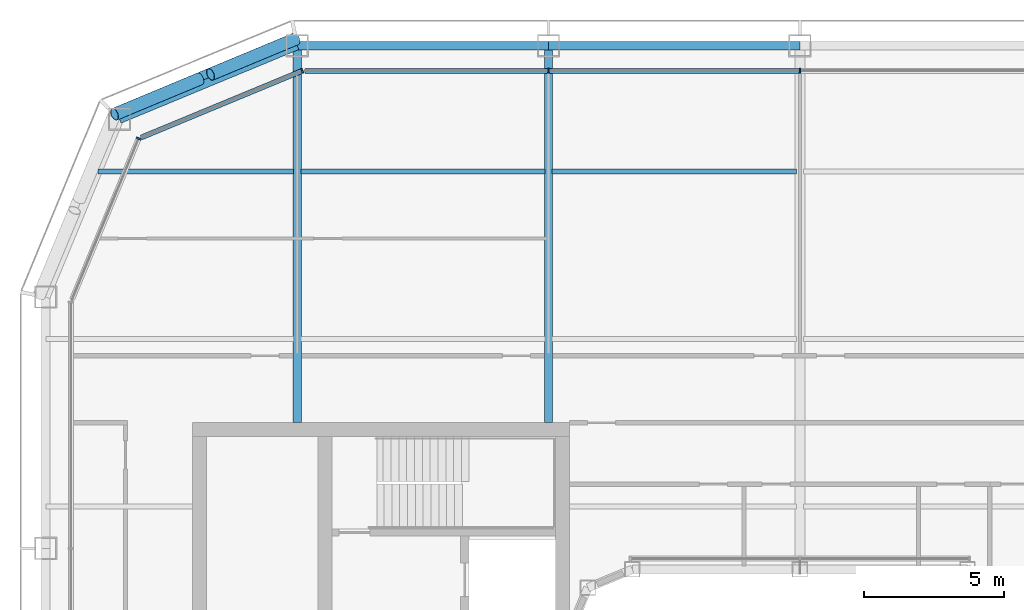
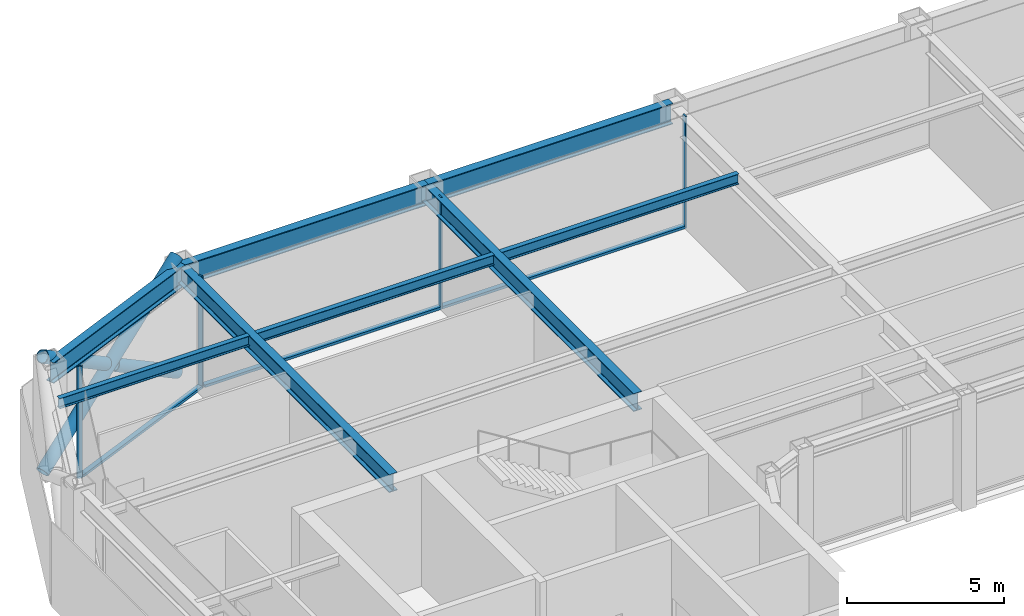
# One storey, part 8 of 19: 10 members, 8 beams, 3 elements without a shape of their own.
"""IFC4 building model written with IfcOpenShell, lengths in metres."""

from ifc_helpers import new_model, si_unit, direction, frame, origin, origin_2d, place, context, subcontext, project, spatial, rectangle, hollow_circle, i_section, extrude, material, layer, layer_set, material_profile, profile_set, type_object, element, aggregate, save


model = new_model("IFC4")

# Units and contexts
model_context = context("Model", 3, precision=1e-05, world=origin(), true_north=direction((0.0, 1.0)))
body_context = subcontext(model_context, "Body", "Model", "MODEL_VIEW")
ifc_project = project(units=[si_unit("LENGTHUNIT", "METRE"), si_unit("AREAUNIT", "SQUARE_METRE"), si_unit("VOLUMEUNIT", "CUBIC_METRE"), si_unit("PLANEANGLEUNIT", "RADIAN"), si_unit("MASSUNIT", "GRAM", prefix="KILO")], contexts=[model_context])

# Site, building, storey
site_placement = place(None, origin())
site = spatial("IfcSite", under=ifc_project, at=site_placement, CompositionType="ELEMENT")
building_placement = place(site_placement, origin())
building = spatial("IfcBuilding", under=site, at=building_placement, Name="Siwar Civic Tower", CompositionType="ELEMENT")
storey_placement = place(building_placement, frame((0.0, 0.0, 246.699951171875)))
storey = spatial("IfcBuildingStorey", under=building, at=storey_placement, Name="L53", CompositionType="ELEMENT", Elevation=246.699951171875)

# Curtain wall, members
ifc_material_1 = material(Name="Aluminium and glass", Category="aluminium")
ifc_layer_1 = layer(ifc_material_1, 0.179931640625)
ifc_layer_set_1 = layer_set([ifc_layer_1], Name="Aluminium and glass")
curtain_wall_type_1 = type_object("IfcCurtainWallType", Name="ENV-CW-C", PredefinedType="NOTDEFINED", material=ifc_layer_set_1)
curtain_wall_1_placement = place(storey_placement, origin())
curtain_wall_1 = element("IfcCurtainWall", 1, at=curtain_wall_1_placement, inside=storey, type_object=curtain_wall_type_1, Name="Curtain wall C N", PredefinedType="NOTDEFINED")
ifc_material_2 = material(Name="Aluminium 6063-T6", Category="aluminium")
ifc_material_profile_1 = material_profile(ifc_material_2, rectangle(XDim=0.179931640625, YDim=0.06005859375, at=origin_2d()), Name="AL 180x60")
ifc_profile_set_1 = profile_set([ifc_material_profile_1], Name="Aluminium 6063-T6")
member_type_1 = type_object("IfcMemberType", Name="ENV-MULLION-C", PredefinedType="MULLION", material=ifc_profile_set_1)
member_1_placement = place(storey_placement, frame((0.0, 26.10009765625, 0.0), z_axis=(0.0, 0.0, 1.0), x_axis=(0.0, -1.0, 0.0)))
member_1 = element("IfcMember", 2, at=member_1_placement, type_object=member_type_1, Name="Mullion C N 3", PredefinedType="MULLION", context=body_context, shape_type="SweptSolid", body=[
    extrude(rectangle(XDim=0.179931640625, YDim=0.06005859375, at=origin_2d()), origin(), (0.0, 0.0, 1.0), 4.35009765625),
])
member_2_placement = place(storey_placement, frame((-9.0, 26.10009765625, 0.0), z_axis=(0.0, 0.0, 1.0), x_axis=(0.0, -1.0, 0.0)))
member_2 = element("IfcMember", 3, at=member_2_placement, type_object=member_type_1, Name="Mullion C N 4", PredefinedType="MULLION", context=body_context, shape_type="SweptSolid", body=[
    extrude(rectangle(XDim=0.179931640625, YDim=0.06005859375, at=origin_2d()), origin(), (0.0, 0.0, 1.0), 4.35009765625),
])

# Curtain wall, member
ifc_material_3 = material(Name="Aluminium clad insulated panel", Category="aluminium")
ifc_layer_2 = layer(ifc_material_3, 0.179931640625)
ifc_layer_set_2 = layer_set([ifc_layer_2], Name="Aluminium clad insulated panel")
curtain_wall_type_2 = type_object("IfcCurtainWallType", Name="ENV-CW-CX", PredefinedType="NOTDEFINED", material=ifc_layer_set_2)
curtain_wall_2_placement = place(storey_placement, origin())
curtain_wall_2 = element("IfcCurtainWall", 4, at=curtain_wall_2_placement, inside=storey, type_object=curtain_wall_type_2, Name="Curtain wall C NW1", PredefinedType="NOTDEFINED")
member_3_placement = place(storey_placement, frame((-17.821044921875, 26.10009765625, 0.0), z_axis=(0.0, 0.0, 1.0), x_axis=(0.382683432365, -0.923879532511, 0.0)))
member_3 = element("IfcMember", 5, at=member_3_placement, type_object=member_type_1, Name="Mullion C NW1 1", PredefinedType="MULLION", context=body_context, shape_type="SweptSolid", body=[
    extrude(rectangle(XDim=0.179931640625, YDim=0.06005859375, at=origin_2d()), origin(), (0.0, 0.0, 1.0), 4.35009765625),
])

curtain_wall_3_placement = place(storey_placement, origin())
curtain_wall_3 = element("IfcCurtainWall", 6, at=curtain_wall_3_placement, inside=storey, type_object=curtain_wall_type_2, Name="Curtain wall C NW2", PredefinedType="NOTDEFINED")
member_4_placement = place(storey_placement, frame((-23.675048828125, 23.675048828125, 0.0), z_axis=(0.0, 0.0, 1.0), x_axis=(0.923879532511, -0.382683432365, 0.0)))
member_4 = element("IfcMember", 7, at=member_4_placement, type_object=member_type_1, Name="Mullion C NW2 1", PredefinedType="MULLION", context=body_context, shape_type="SweptSolid", body=[
    extrude(rectangle(XDim=0.179931640625, YDim=0.06005859375, at=origin_2d()), origin(), (0.0, 0.0, 1.0), 4.35009765625),
])
aggregate(curtain_wall_3, [member_4])

# Member
ifc_material_4 = material(Name="Aluminium 6063-T6", Category="aluminium")
ifc_material_profile_2 = material_profile(ifc_material_4, rectangle(XDim=0.179931640625, YDim=0.10009765625, at=origin_2d()), Name="AL 180x100")
ifc_profile_set_2 = profile_set([ifc_material_profile_2], Name="Aluminium 6063-T6")
member_type_2 = type_object("IfcMemberType", Name="ENV-TRANSOM-C", PredefinedType="USERDEFINED", material=ifc_profile_set_2)
member_5_placement = place(storey_placement, frame((-0.030029296875, 26.10009765625, 0.050048828125), z_axis=(-1.0, 0.0, 0.0), x_axis=(0.0, -1.0, 0.0)))
member_5 = element("IfcMember", 8, at=member_5_placement, type_object=member_type_2, Name="Transom C N 3", ObjectType="TRANSOM", PredefinedType="USERDEFINED", context=body_context, shape_type="SweptSolid", body=[
    extrude(rectangle(XDim=0.179931640625, YDim=0.10009765625, at=origin_2d()), origin(), (0.0, 0.0, 1.0), 8.93994140625),
])

member_6_placement = place(storey_placement, frame((-9.030029296875, 26.10009765625, 0.050048828125), z_axis=(-1.0, 0.0, 0.0), x_axis=(0.0, -1.0, 0.0)))
member_6 = element("IfcMember", 9, at=member_6_placement, type_object=member_type_2, Name="Transom C N 4", ObjectType="TRANSOM", PredefinedType="USERDEFINED", context=body_context, shape_type="SweptSolid", body=[
    extrude(rectangle(XDim=0.179931640625, YDim=0.10009765625, at=origin_2d()), origin(), (0.0, 0.0, 1.0), 8.68603515625),
])

aggregate(curtain_wall_1, [member_1, member_2, member_5, member_6])

member_7_placement = place(storey_placement, frame((-17.8486328125, 26.088623046875, 0.050048828125), z_axis=(-0.923882011223, -0.38267744817, 0.0), x_axis=(0.38267744817, -0.923882011223, 0.0)))
member_7 = element("IfcMember", 10, at=member_7_placement, type_object=member_type_2, Name="Transom C NW1 1", ObjectType="TRANSOM", PredefinedType="USERDEFINED", context=body_context, shape_type="SweptSolid", body=[
    extrude(rectangle(XDim=0.179931640625, YDim=0.10009765625, at=origin_2d()), origin(), (0.0, 0.0, 1.0), 6.201904296875),
])

aggregate(curtain_wall_2, [member_3, member_7])

# Members
ifc_material_5 = material(Name="Steel S355", Category="steel")
ifc_material_profile_3 = material_profile(ifc_material_5, hollow_circle(Radius=0.228515625, WallThickness=0.02001953125, at=origin_2d()), Name="CHS457x20")
ifc_profile_set_3 = profile_set([ifc_material_profile_3], Name="Steel S355")
member_type_3 = type_object("IfcMemberType", Name="STR-BR-CHS457x20", PredefinedType="BRACE", material=ifc_profile_set_3)
member_8_placement = place(storey_placement, frame((-24.540771484375, 24.540771484375, 0.0), z_axis=(0.777554562952, 0.323905527954, 0.538975055633), x_axis=(-0.384538969033, 0.923108759191, 0.0)))
element("IfcMember", 11, at=member_8_placement, inside=storey, type_object=member_type_3, Name="L53/brc/CNW1-13-0-0", PredefinedType="BRACE", context=body_context, shape_type="SweptSolid", body=[
    extrude(hollow_circle(Radius=0.228515625, WallThickness=0.02001953125, at=origin_2d()), origin(), (0.0, 0.0, 1.0), 8.34912109375),
])
for number, where, z_axis, x_axis, name in (
    (12, (-18.048828125, 27.2451171875, 0.0), (-0.777546448489, -0.323884455881, 0.538999424564), (0.38452107079, -0.92311621485, 0.0), "L53/brc/CNW1-13-0-4"),
    (13, (-21.486572265625, 25.81298828125, 2.383056640625), (-0.777572496853, -0.323895306243, 0.538955325357), (0.38452107079, -0.92311621485, 0.0), "L53/brc/CNW1-13-0-5"),
):
    element("IfcMember", number, at=place(storey_placement, frame(where, z_axis=z_axis, x_axis=x_axis)), inside=storey, type_object=member_type_3, Name=name, PredefinedType="BRACE", context=body_context, shape_type="SweptSolid", body=[
        extrude(hollow_circle(Radius=0.228515625, WallThickness=0.02001953125, at=origin_2d()), origin(), (0.0, 0.0, 1.0), 3.927978515625),
    ])

# Beams
ifc_material_6 = material(Name="Steel S355", Category="steel")
ifc_material_profile_4 = material_profile(ifc_material_6, i_section(OverallWidth=0.179931640625, OverallDepth=0.39990234375, WebThickness=0.008544921875, FlangeThickness=0.013427734375, FilletRadius=0.02099609375, at=origin_2d()), Name="IPE400")
ifc_profile_set_4 = profile_set([ifc_material_profile_4], Name="Steel S355")
beam_type_1 = type_object("IfcBeamType", Name="STR-FB-IPE400", PredefinedType="JOIST", material=ifc_profile_set_4)
beam_1_placement = place(storey_placement, frame((-25.135986328125, 22.5, 4.150146484375), z_axis=(1.0, 0.0, 0.0), x_axis=(0.0, 1.0, 0.0)))
element("IfcBeam", 14, at=beam_1_placement, inside=storey, type_object=beam_type_1, Name="L53/bm/F037", PredefinedType="JOIST", context=body_context, shape_type="SweptSolid", body=[
    extrude(i_section(OverallWidth=0.179931640625, OverallDepth=0.39990234375, WebThickness=0.008544921875, FlangeThickness=0.013427734375, FilletRadius=0.02099609375, at=origin_2d()), origin(), (0.0, 0.0, 1.0), 7.006103515625),
])
for number, where, z_axis, x_axis, name in (
    (15, (-17.8701171875, 22.5, 4.150146484375), (1.0, 0.0, 0.0), (0.0, 1.0, 0.0), "L53/bm/F038"),
    (16, (-8.8701171875, 22.5, 4.150146484375), (1.0, 0.0, 0.0), (0.0, 1.0, 0.0), "L53/bm/F039"),
):
    element("IfcBeam", number, at=place(storey_placement, frame(where, z_axis=z_axis, x_axis=x_axis)), inside=storey, type_object=beam_type_1, Name=name, PredefinedType="JOIST", context=body_context, shape_type="SweptSolid", body=[
        extrude(i_section(OverallWidth=0.179931640625, OverallDepth=0.39990234375, WebThickness=0.008544921875, FlangeThickness=0.013427734375, FilletRadius=0.02099609375, at=origin_2d()), origin(), (0.0, 0.0, 1.0), 8.740234375),
    ])
ifc_material_7 = material(Name="Steel S355", Category="steel")
ifc_material_profile_5 = material_profile(ifc_material_7, i_section(OverallWidth=0.300048828125, OverallDepth=0.699951171875, WebThickness=0.01708984375, FlangeThickness=0.031982421875, FilletRadius=0.027099609375, at=origin_2d()), Name="HEB700")
ifc_profile_set_5 = profile_set([ifc_material_profile_5], Name="Steel S355")
beam_type_2 = type_object("IfcBeamType", Name="STR-PG-HEB700", PredefinedType="BEAM", material=ifc_profile_set_5)
for number, where, z_axis, x_axis, name in (
    (17, (-18.0, 13.5, 4.0), (0.0, 1.0, 0.0), (-1.0, 0.0, 0.0), "L53/bm/G02"),
    (18, (-9.0, 13.5, 4.0), (0.0, 1.0, 0.0), (-1.0, 0.0, 0.0), "L53/bm/G04"),
):
    element("IfcBeam", number, at=place(storey_placement, frame(where, z_axis=z_axis, x_axis=x_axis)), inside=storey, type_object=beam_type_2, Name=name, PredefinedType="BEAM", context=body_context, shape_type="SweptSolid", body=[
        extrude(i_section(OverallWidth=0.300048828125, OverallDepth=0.699951171875, WebThickness=0.01708984375, FlangeThickness=0.031982421875, FilletRadius=0.027099609375, at=origin_2d()), origin(), (0.0, 0.0, 1.0), 13.5),
    ])
ifc_material_8 = material(Name="Steel S355", Category="steel")
ifc_material_profile_6 = material_profile(ifc_material_8, i_section(OverallWidth=0.300048828125, OverallDepth=0.800048828125, WebThickness=0.017578125, FlangeThickness=0.032958984375, FilletRadius=0.030029296875, at=origin_2d()), Name="HEB800")
ifc_profile_set_6 = profile_set([ifc_material_profile_6], Name="Steel S355")
beam_type_3 = type_object("IfcBeamType", Name="STR-SB-HEB800", PredefinedType="BEAM", material=ifc_profile_set_6)
for number, where, z_axis, x_axis, name in (
    (19, (0.0, 27.0, 3.949951171875), (-1.0, 0.0, 0.0), (0.0, -1.0, 0.0), "L53/bm/SN-2"),
    (20, (-9.0, 27.0, 3.949951171875), (-1.0, 0.0, 0.0), (0.0, -1.0, 0.0), "L53/bm/SN-3"),
):
    element("IfcBeam", number, at=place(storey_placement, frame(where, z_axis=z_axis, x_axis=x_axis)), inside=storey, type_object=beam_type_3, Name=name, PredefinedType="BEAM", context=body_context, shape_type="SweptSolid", body=[
        extrude(i_section(OverallWidth=0.300048828125, OverallDepth=0.800048828125, WebThickness=0.017578125, FlangeThickness=0.032958984375, FilletRadius=0.030029296875, at=origin_2d()), origin(), (0.0, 0.0, 1.0), 9.0),
    ])
beam_2_placement = place(storey_placement, frame((-18.0, 27.0, 3.949951171875), z_axis=(-0.923883353507, -0.382674207535, 0.0), x_axis=(0.382674207535, -0.923883353507, 0.0)))
element("IfcBeam", 21, at=beam_2_placement, inside=storey, type_object=beam_type_3, Name="L53/bm/SNW1-0", PredefinedType="BEAM", context=body_context, shape_type="SweptSolid", body=[
    extrude(i_section(OverallWidth=0.300048828125, OverallDepth=0.800048828125, WebThickness=0.017578125, FlangeThickness=0.032958984375, FilletRadius=0.030029296875, at=origin_2d()), origin(), (0.0, 0.0, 1.0), 6.888427734375),
])

save(model, "model.ifc")
